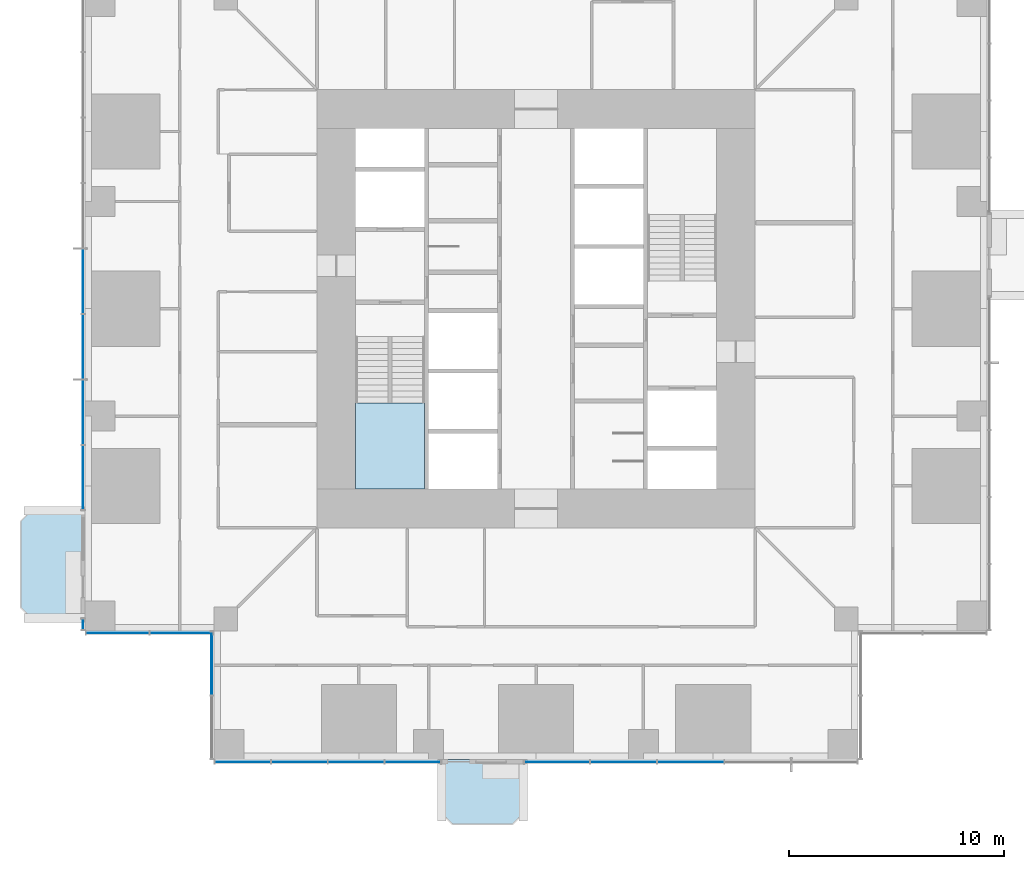
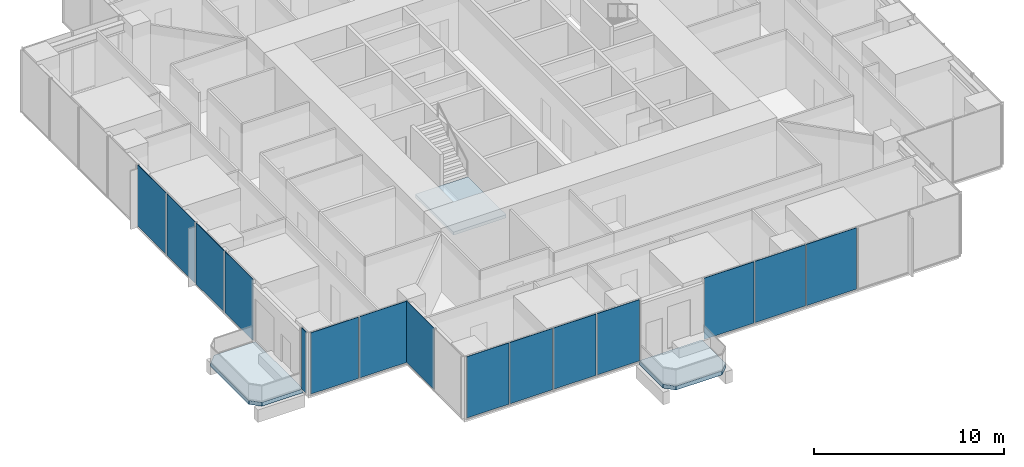
# One storey, part 8 of 18: 15 plates, 3 slabs, 7 elements without a shape of their own.
"""IFC4 building model written with IfcOpenShell, lengths in metres."""

from ifc_helpers import new_model, si_unit, direction, frame, origin, origin_2d, place, context, subcontext, project, spatial, polyline, rectangle, outline, extrude, material, layer, layer_set, type_object, element, aggregate, save


model = new_model("IFC4")

# Units and contexts
model_context = context("Model", 3, precision=1e-05, world=origin(), true_north=direction((0.0, 1.0)))
body_context = subcontext(model_context, "Body", "Model", "MODEL_VIEW")
ifc_project = project(units=[si_unit("LENGTHUNIT", "METRE"), si_unit("AREAUNIT", "SQUARE_METRE"), si_unit("VOLUMEUNIT", "CUBIC_METRE"), si_unit("PLANEANGLEUNIT", "RADIAN"), si_unit("MASSUNIT", "GRAM", prefix="KILO")], contexts=[model_context])

# Site, building, storey
site_placement = place(None, origin())
site = spatial("IfcSite", under=ifc_project, at=site_placement, CompositionType="ELEMENT")
building_placement = place(site_placement, origin())
building = spatial("IfcBuilding", under=site, at=building_placement, Name="Svetlomir Tower", CompositionType="ELEMENT")
storey_placement = place(building_placement, frame((0.0, 0.0, 78.5)))
storey = spatial("IfcBuildingStorey", under=building, at=storey_placement, Name="L18", CompositionType="ELEMENT", Elevation=78.5)

# Slabs
ifc_material_1 = material(Name="Concrete C60/75", Category="concrete")
ifc_layer_1 = layer(ifc_material_1, 0.25)
ifc_layer_set_1 = layer_set([ifc_layer_1], Name="Concrete C60/75")
slab_type_1 = type_object("IfcSlabType", Name="BALCONY SLAB 250", PredefinedType="FLOOR", material=ifc_layer_set_1)
slab_1_placement = place(storey_placement, frame((0.0, 0.0, -0.25)))
element("IfcSlab", 1, at=slab_1_placement, inside=storey, type_object=slab_type_1, Name="L18 S planted balcony", PredefinedType="FLOOR", context=body_context, shape_type="SweptSolid", body=[
    extrude(outline(polyline([(16.60009765625, -2.5), (17.10009765625, -3.0), (19.89990234375, -3.0), (20.39990234375, -2.5), (20.39990234375, 0.0), (16.60009765625, 0.0), (16.60009765625, -2.5)])), origin(), (0.0, 0.0, 1.0), 0.25),
])
slab_2_placement = place(storey_placement, frame((0.0, 0.0, -0.25)))
element("IfcSlab", 2, at=slab_2_placement, inside=storey, type_object=slab_type_1, Name="L18 W planted balcony", PredefinedType="FLOOR", context=body_context, shape_type="SweptSolid", body=[
    extrude(outline(polyline([(-2.5, 6.60009765625), (0.0, 6.60009765625), (0.0, 11.60009765625), (-2.5, 11.60009765625), (-3.0, 11.10009765625), (-3.0, 7.10009765625), (-2.5, 6.60009765625)])), origin(), (0.0, 0.0, 1.0), 0.25),
])

# Curtain wall, plates
ifc_material_2 = material(Name="Bronze anodised aluminium curtain wall", Category="aluminium")
curtain_wall_type = type_object("IfcCurtainWallType", Name="CURTAIN WALL CW1 TOWER OFFICE", PredefinedType="NOTDEFINED", material=ifc_material_2)
curtain_wall_1_placement = place(storey_placement, origin())
curtain_wall_1 = element("IfcCurtainWall", 3, at=curtain_wall_1_placement, inside=storey, type_object=curtain_wall_type, Name="Curtain wall CW1 L18", PredefinedType="NOTDEFINED")
ifc_material_3 = material(Name="Tinted double glazed unit", Category="glass")
ifc_layer_2 = layer(ifc_material_3, 0.031982421875)
ifc_layer_set_2 = layer_set([ifc_layer_2], Name="Tinted double glazed unit")
plate_type = type_object("IfcPlateType", Name="CW1 GLAZED PANEL 32", PredefinedType="CURTAIN_PANEL", material=ifc_layer_set_2)
plate_1_placement = place(storey_placement, frame((7.34130859375, -0.10009765625, 0.06494140625), z_axis=(0.0, 0.0, 1.0), x_axis=(1.0, 0.0, 0.0)))
plate_1 = element("IfcPlate", 4, at=plate_1_placement, type_object=plate_type, Name="CW1 panel 1.1", PredefinedType="CURTAIN_PANEL", context=body_context, shape_type="SweptSolid", body=[
    extrude(rectangle(XDim=2.552490234375, YDim=0.031982421875, at=origin_2d()), origin(), (0.0, 0.0, 1.0), 3.93505859375),
])
plate_2_placement = place(storey_placement, frame((9.97509765625, -0.10009765625, 0.06494140625), z_axis=(0.0, 0.0, 1.0), x_axis=(1.0, 0.0, 0.0)))
plate_2 = element("IfcPlate", 5, at=plate_2_placement, type_object=plate_type, Name="CW1 panel 2.1", PredefinedType="CURTAIN_PANEL", context=body_context, shape_type="SweptSolid", body=[
    extrude(rectangle(XDim=2.5849609375, YDim=0.031982421875, at=origin_2d()), origin(), (0.0, 0.0, 1.0), 3.93505859375),
])
plate_3_placement = place(storey_placement, frame((12.625, -0.10009765625, 0.06494140625), z_axis=(0.0, 0.0, 1.0), x_axis=(1.0, 0.0, 0.0)))
plate_3 = element("IfcPlate", 6, at=plate_3_placement, type_object=plate_type, Name="CW1 panel 3.1", PredefinedType="CURTAIN_PANEL", context=body_context, shape_type="SweptSolid", body=[
    extrude(rectangle(XDim=2.5849609375, YDim=0.031982421875, at=origin_2d()), origin(), (0.0, 0.0, 1.0), 3.93505859375),
])
plate_4_placement = place(storey_placement, frame((15.2587890625, -0.10009765625, 0.06494140625), z_axis=(0.0, 0.0, 1.0), x_axis=(1.0, 0.0, 0.0)))
plate_4 = element("IfcPlate", 7, at=plate_4_placement, type_object=plate_type, Name="CW1 panel 4.1", PredefinedType="CURTAIN_PANEL", context=body_context, shape_type="SweptSolid", body=[
    extrude(rectangle(XDim=2.552490234375, YDim=0.031982421875, at=origin_2d()), origin(), (0.0, 0.0, 1.0), 3.93505859375),
])
aggregate(curtain_wall_1, [plate_1, plate_2, plate_3, plate_4])

curtain_wall_2_placement = place(storey_placement, origin())
curtain_wall_2 = element("IfcCurtainWall", 8, at=curtain_wall_2_placement, inside=storey, type_object=curtain_wall_type, Name="Curtain wall CW1 L18", PredefinedType="NOTDEFINED")
plate_5_placement = place(storey_placement, frame((21.976318359375, -0.10009765625, 0.06494140625), z_axis=(0.0, 0.0, 1.0), x_axis=(1.0, 0.0, 0.0)))
plate_5 = element("IfcPlate", 9, at=plate_5_placement, type_object=plate_type, Name="CW1 panel 1.1", PredefinedType="CURTAIN_PANEL", context=body_context, shape_type="SweptSolid", body=[
    extrude(rectangle(XDim=3.0224609375, YDim=0.031982421875, at=origin_2d()), origin(), (0.0, 0.0, 1.0), 3.93505859375),
])
plate_6_placement = place(storey_placement, frame((25.080078125, -0.10009765625, 0.06494140625), z_axis=(0.0, 0.0, 1.0), x_axis=(1.0, 0.0, 0.0)))
plate_6 = element("IfcPlate", 10, at=plate_6_placement, type_object=plate_type, Name="CW1 panel 2.1", PredefinedType="CURTAIN_PANEL", context=body_context, shape_type="SweptSolid", body=[
    extrude(rectangle(XDim=3.054931640625, YDim=0.031982421875, at=origin_2d()), origin(), (0.0, 0.0, 1.0), 3.93505859375),
])
plate_7_placement = place(storey_placement, frame((28.199951171875, -0.10009765625, 0.06494140625), z_axis=(0.0, 0.0, 1.0), x_axis=(1.0, 0.0, 0.0)))
plate_7 = element("IfcPlate", 11, at=plate_7_placement, type_object=plate_type, Name="CW1 panel 3.1", PredefinedType="CURTAIN_PANEL", context=body_context, shape_type="SweptSolid", body=[
    extrude(rectangle(XDim=3.054931640625, YDim=0.031982421875, at=origin_2d()), origin(), (0.0, 0.0, 1.0), 3.93505859375),
])
aggregate(curtain_wall_2, [plate_5, plate_6, plate_7])

curtain_wall_3_placement = place(storey_placement, origin())
curtain_wall_3 = element("IfcCurtainWall", 12, at=curtain_wall_3_placement, inside=storey, type_object=curtain_wall_type, Name="Curtain wall CW1 L18", PredefinedType="NOTDEFINED")
plate_8_placement = place(storey_placement, frame((-0.10009765625, 22.27490234375, 0.06494140625), z_axis=(0.0, 0.0, 1.0), x_axis=(0.0, -1.0, 0.0)))
plate_8 = element("IfcPlate", 13, at=plate_8_placement, type_object=plate_type, Name="CW1 panel 5.1", PredefinedType="CURTAIN_PANEL", context=body_context, shape_type="SweptSolid", body=[
    extrude(rectangle(XDim=2.985107421875, YDim=0.031982421875, at=origin_2d()), origin(), (0.0, 0.0, 1.0), 3.93505859375),
])
plate_9_placement = place(storey_placement, frame((-0.10009765625, 19.22509765625, 0.06494140625), z_axis=(0.0, 0.0, 1.0), x_axis=(0.0, -1.0, 0.0)))
plate_9 = element("IfcPlate", 14, at=plate_9_placement, type_object=plate_type, Name="CW1 panel 6.1", PredefinedType="CURTAIN_PANEL", context=body_context, shape_type="SweptSolid", body=[
    extrude(rectangle(XDim=2.985107421875, YDim=0.031982421875, at=origin_2d()), origin(), (0.0, 0.0, 1.0), 3.93505859375),
])
plate_10_placement = place(storey_placement, frame((-0.10009765625, 16.175048828125, 0.06494140625), z_axis=(0.0, 0.0, 1.0), x_axis=(0.0, -1.0, 0.0)))
plate_10 = element("IfcPlate", 15, at=plate_10_placement, type_object=plate_type, Name="CW1 panel 7.1", PredefinedType="CURTAIN_PANEL", context=body_context, shape_type="SweptSolid", body=[
    extrude(rectangle(XDim=2.985107421875, YDim=0.031982421875, at=origin_2d()), origin(), (0.0, 0.0, 1.0), 3.93505859375),
])
plate_11_placement = place(storey_placement, frame((-0.10009765625, 13.141357421875, 0.06494140625), z_axis=(0.0, 0.0, 1.0), x_axis=(0.0, -1.0, 0.0)))
plate_11 = element("IfcPlate", 16, at=plate_11_placement, type_object=plate_type, Name="CW1 panel 8.1", PredefinedType="CURTAIN_PANEL", context=body_context, shape_type="SweptSolid", body=[
    extrude(rectangle(XDim=2.952392578125, YDim=0.031982421875, at=origin_2d()), origin(), (0.0, 0.0, 1.0), 3.93505859375),
])
aggregate(curtain_wall_3, [plate_8, plate_9, plate_10, plate_11])

# Curtain wall, plate
curtain_wall_4_placement = place(storey_placement, origin())
curtain_wall_4 = element("IfcCurtainWall", 17, at=curtain_wall_4_placement, inside=storey, type_object=curtain_wall_type, Name="Curtain wall CW1 L18", PredefinedType="NOTDEFINED")
plate_12_placement = place(storey_placement, frame((-0.10009765625, 6.300048828125, 0.06494140625), z_axis=(0.0, 0.0, 1.0), x_axis=(0.0, -1.0, 0.0)))
plate_12 = element("IfcPlate", 18, at=plate_12_placement, type_object=plate_type, Name="CW1 panel 1.1", PredefinedType="CURTAIN_PANEL", context=body_context, shape_type="SweptSolid", body=[
    extrude(rectangle(XDim=0.469970703125, YDim=0.031982421875, at=origin_2d()), origin(), (0.0, 0.0, 1.0), 3.93505859375),
])
aggregate(curtain_wall_4, [plate_12])

# Curtain wall, plates
curtain_wall_5_placement = place(storey_placement, origin())
curtain_wall_5 = element("IfcCurtainWall", 19, at=curtain_wall_5_placement, inside=storey, type_object=curtain_wall_type, Name="Curtain wall CW1 L18", PredefinedType="NOTDEFINED")
plate_13_placement = place(storey_placement, frame((1.516357421875, 5.89990234375, 0.06494140625), z_axis=(0.0, 0.0, 1.0), x_axis=(1.0, 0.0, 0.0)))
plate_13 = element("IfcPlate", 20, at=plate_13_placement, type_object=plate_type, Name="CW1 panel 1.1", PredefinedType="CURTAIN_PANEL", context=body_context, shape_type="SweptSolid", body=[
    extrude(rectangle(XDim=2.902587890625, YDim=0.031982421875, at=origin_2d()), origin(), (0.0, 0.0, 1.0), 3.93505859375),
])
plate_14_placement = place(storey_placement, frame((4.483642578125, 5.89990234375, 0.06494140625), z_axis=(0.0, 0.0, 1.0), x_axis=(1.0, 0.0, 0.0)))
plate_14 = element("IfcPlate", 21, at=plate_14_placement, type_object=plate_type, Name="CW1 panel 2.1", PredefinedType="CURTAIN_PANEL", context=body_context, shape_type="SweptSolid", body=[
    extrude(rectangle(XDim=2.902587890625, YDim=0.031982421875, at=origin_2d()), origin(), (0.0, 0.0, 1.0), 3.93505859375),
])
aggregate(curtain_wall_5, [plate_13, plate_14])

# Curtain wall, plate
curtain_wall_6_placement = place(storey_placement, origin())
curtain_wall_6 = element("IfcCurtainWall", 22, at=curtain_wall_6_placement, inside=storey, type_object=curtain_wall_type, Name="Curtain wall CW1 L18", PredefinedType="NOTDEFINED")
plate_15_placement = place(storey_placement, frame((5.89990234375, 4.483642578125, 0.06494140625), z_axis=(0.0, 0.0, 1.0), x_axis=(0.0, -1.0, 0.0)))
plate_15 = element("IfcPlate", 23, at=plate_15_placement, type_object=plate_type, Name="CW1 panel 1.1", PredefinedType="CURTAIN_PANEL", context=body_context, shape_type="SweptSolid", body=[
    extrude(rectangle(XDim=2.902587890625, YDim=0.031982421875, at=origin_2d()), origin(), (0.0, 0.0, 1.0), 3.93505859375),
])
aggregate(curtain_wall_6, [plate_15])

# Stair, slab
ifc_material_4 = material(Name="Concrete C60/75", Category="concrete")
stair_type = type_object("IfcStairType", Name="EXIT STAIR 3200 RISE 4000", PredefinedType="HALF_TURN_STAIR", material=ifc_material_4)
stair_placement = place(storey_placement, origin())
stair = element("IfcStair", 24, at=stair_placement, inside=storey, type_object=stair_type, Name="Stair S1 L18 to L19", PredefinedType="HALF_TURN_STAIR")
ifc_material_5 = material(Name="Concrete C60/75", Category="concrete")
ifc_layer_3 = layer(ifc_material_5, 0.199951171875)
ifc_layer_set_3 = layer_set([ifc_layer_3], Name="Concrete C60/75")
slab_type_2 = type_object("IfcSlabType", Name="STAIR LANDING 200", PredefinedType="LANDING", material=ifc_layer_set_3)
slab_3_placement = place(storey_placement, frame((0.0, 0.0, 1.800048828125)))
slab_3 = element("IfcSlab", 25, at=slab_3_placement, type_object=slab_type_2, Name="S1 landing 1", PredefinedType="LANDING", context=body_context, shape_type="SweptSolid", body=[
    extrude(outline(polyline([(12.60009765625, 12.60009765625), (15.800048828125, 12.60009765625), (15.800048828125, 16.6201171875), (12.60009765625, 16.6201171875), (12.60009765625, 12.60009765625)])), origin(), (0.0, 0.0, 1.0), 0.199951171875),
])
aggregate(stair, [slab_3])

save(model, "model.ifc")
